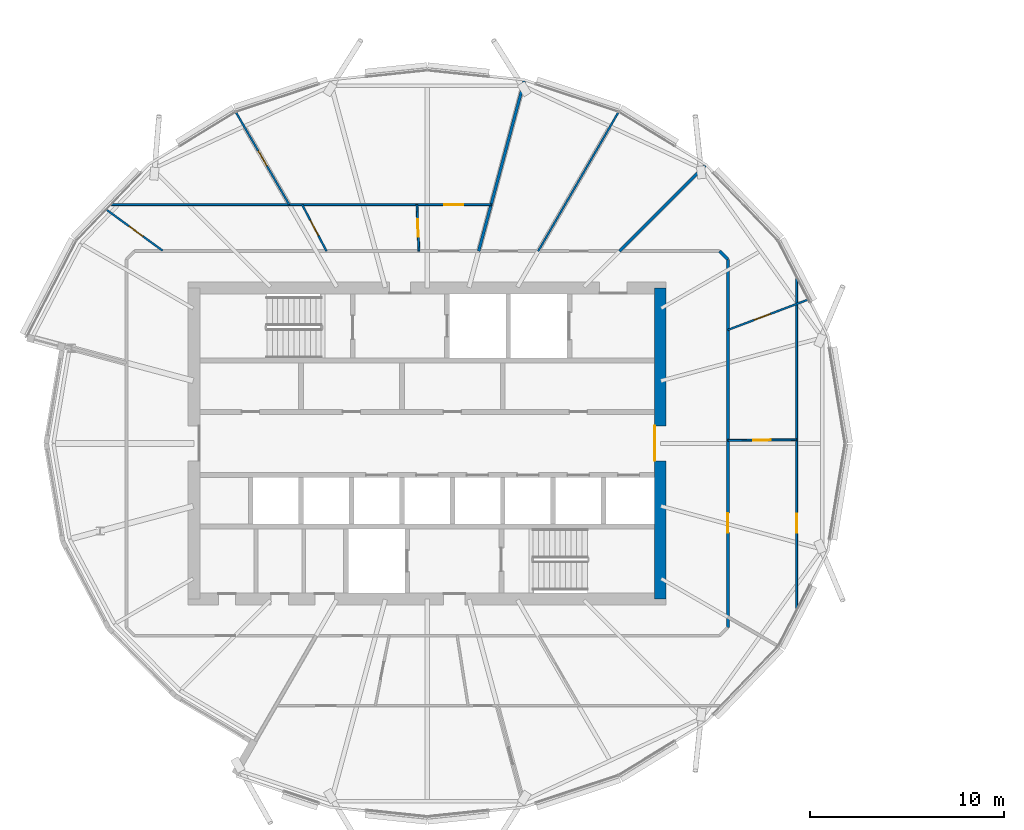
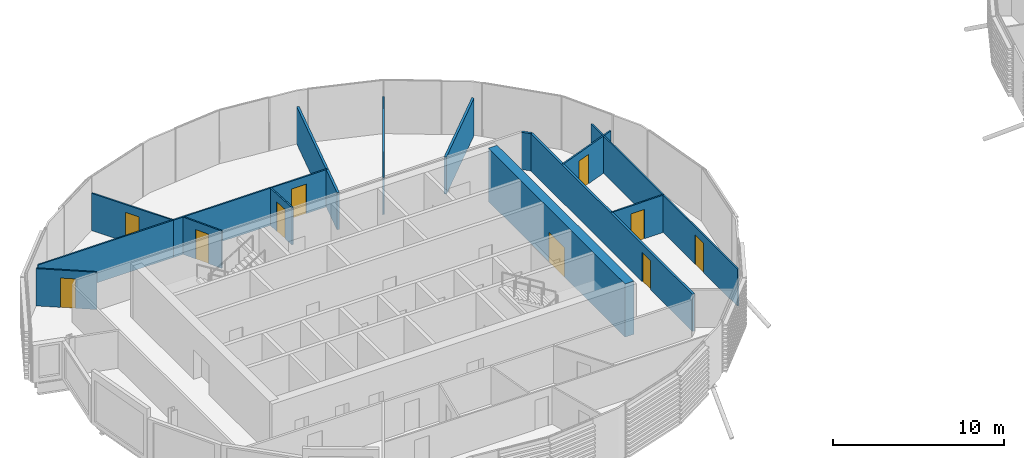
# One storey, part 20 of 36: 15 walls, 10 doors, 10 openings.
"""IFC4 building model written with IfcOpenShell, lengths in metres."""

import ifcopenshell
import ifcopenshell.guid

model = None  # the IFC model being written
_history = None  # IfcOwnerHistory: only IFC2X3 demands one
_inside = {}  # id of a spatial element -> (the spatial element, [elements in it])
_under = {}  # id of a project, library or spatial element -> (it, [spatial elements below it])
_declared = {}  # id of a project -> (the project, [libraries it declares])
_typed = {}  # id of a type object -> (the type object, [elements of that type])
_made_of = {}  # id of a material, layer set ... -> (it, [elements and type objects made of it])


def new_model(schema):
    """Start an empty IFC model of exactly this schema.

    Asked for "IFC4X3", IfcOpenShell would pick the latest addendum, in which some entities
    have other attributes; the version numbers below select the first issue.
    IFC2X3 requires an IfcOwnerHistory on every rooted entity: one is made here for all.
    """
    global model, _history
    if schema == "IFC4X3":
        model = ifcopenshell.file(schema_version=(4, 3, 0, 0))
    else:
        model = ifcopenshell.file(schema=schema)
    _inside.clear()
    _under.clear()
    _declared.clear()
    _typed.clear()
    _made_of.clear()
    _history = None
    if model.schema == "IFC2X3":
        org = make("IfcOrganization", Name="unknown")
        user = make(
            "IfcPersonAndOrganization",
            ThePerson=make("IfcPerson", FamilyName="unknown"),
            TheOrganization=org,
        )
        app = make(
            "IfcApplication",
            ApplicationDeveloper=org,
            Version="unknown",
            ApplicationFullName="unknown",
            ApplicationIdentifier="unknown",
        )
        _history = make(
            "IfcOwnerHistory",
            OwningUser=user,
            OwningApplication=app,
            ChangeAction="ADDED",
            CreationDate=0,
        )
    return model


def make(cls, **values):
    """One entity of the class cls with the attributes given. An attribute that is None is left unset."""
    return model.create_entity(
        cls, **{name: value for name, value in values.items() if value is not None}
    )


def rooted(cls, **values):
    """An entity with a GlobalId (a new one), such as an element, a storey or a relation."""
    return make(cls, GlobalId=ifcopenshell.guid.new(), OwnerHistory=_history, **values)


def si_unit(unit_type, name, prefix=None):
    """IfcSIUnit, for example si_unit("LENGTHUNIT", "METRE", prefix="MILLI")."""
    return make("IfcSIUnit", UnitType=unit_type, Prefix=prefix, Name=name)


def assignment(units):
    """IfcUnitAssignment: the units of a project."""
    return None if units is None else make("IfcUnitAssignment", Units=units)


def point(xyz):
    """IfcCartesianPoint."""
    return None if xyz is None else make("IfcCartesianPoint", Coordinates=xyz)


def direction(xyz):
    """IfcDirection."""
    return None if xyz is None else make("IfcDirection", DirectionRatios=xyz)


def frame(location, z_axis=None, x_axis=None):
    """IfcAxis2Placement3D, a coordinate frame: its origin and axes. An axis left out is left unset."""
    return make(
        "IfcAxis2Placement3D",
        Location=point(location),
        Axis=direction(z_axis),
        RefDirection=direction(x_axis),
    )


def frame_2d(location, x_axis=None):
    """IfcAxis2Placement2D, a coordinate frame in the plane: its origin and x axis."""
    return make(
        "IfcAxis2Placement2D", Location=point(location), RefDirection=direction(x_axis)
    )


def origin():
    """The frame at (0, 0, 0) with its axes left unset."""
    return frame((0.0, 0.0, 0.0))


def place(relative_to, where):
    """IfcLocalPlacement: puts the frame where relative to a parent placement (None: the world)."""
    return make(
        "IfcLocalPlacement", PlacementRelTo=relative_to, RelativePlacement=where
    )


def context(
    kind, dimensions, precision=None, world=None, true_north=None, identifier=None
):
    """IfcGeometricRepresentationContext, for example the 3D "Model" context."""
    return make(
        "IfcGeometricRepresentationContext",
        ContextIdentifier=identifier,
        ContextType=kind,
        CoordinateSpaceDimension=dimensions,
        Precision=precision,
        WorldCoordinateSystem=world,
        TrueNorth=true_north,
    )


def subcontext(parent, identifier, kind, view, scale=None):
    """IfcGeometricRepresentationSubContext, for example "Body" below "Model"."""
    return make(
        "IfcGeometricRepresentationSubContext",
        ContextIdentifier=identifier,
        ContextType=kind,
        ParentContext=parent,
        TargetScale=scale,
        TargetView=view,
    )


def project(units=None, contexts=None):
    """IfcProject with its units and contexts."""
    return rooted(
        "IfcProject",
        Name="project",
        RepresentationContexts=contexts,
        UnitsInContext=assignment(units),
    )


def spatial(cls, under=None, at=None, **own):
    """A site, building, storey or space (cls), placed at a placement, below another one or the project."""
    s = rooted(cls, ObjectPlacement=at, **own)
    if under is not None:
        _under.setdefault(under.id(), (under, []))[1].append(s)
    return s


def profile(cls, at=None, kind="AREA", **sizes):
    """A parametric profile (cls). Its sizes go by their IFC names, for example OverallWidth=200.0."""
    return make(cls, ProfileType=kind, Position=at, **sizes)


def rectangle(**sizes):
    """IfcRectangleProfileDef."""
    return profile("IfcRectangleProfileDef", **sizes)


def extrude(swept, where, along, depth):
    """IfcExtrudedAreaSolid: the profile swept, set in the frame where, extruded along a direction by depth."""
    return make(
        "IfcExtrudedAreaSolid",
        SweptArea=swept,
        Position=where,
        ExtrudedDirection=direction(along),
        Depth=depth,
    )


def shape(context_of_items, identifier, shape_type, items):
    """IfcShapeRepresentation: the items that make up one representation, for example the "Body"."""
    return make(
        "IfcShapeRepresentation",
        ContextOfItems=context_of_items,
        RepresentationIdentifier=identifier,
        RepresentationType=shape_type,
        Items=items,
    )


def material(Name=None, Category=None):
    """IfcMaterial."""
    return make("IfcMaterial", Name=Name, Category=Category)


def layer(
    of_material, thickness, ventilated=None, Name=None, Category=None, Priority=None
):
    """IfcMaterialLayer: one layer of a wall or slab, of a material (None: an air gap)."""
    return make(
        "IfcMaterialLayer",
        Material=of_material,
        LayerThickness=thickness,
        IsVentilated=ventilated,
        Name=Name,
        Category=Category,
        Priority=Priority,
    )


def layer_set(layers, Name=None):
    """IfcMaterialLayerSet."""
    return make("IfcMaterialLayerSet", MaterialLayers=layers, LayerSetName=Name)


def made_of(thing, what):
    """Note that an element or type object is made of a material, layer set ...; save() writes the relation."""
    if what is not None:
        _made_of.setdefault(what.id(), (what, []))[1].append(thing)
    return thing


def type_object(cls, material=None, **own):
    """A type object (cls), such as IfcWallType, which elements share."""
    return made_of(rooted(cls, **own), material)


def element(
    cls,
    number,
    at=None,
    inside=None,
    cuts=None,
    type_object=None,
    material=None,
    context=None,
    identifier="Body",
    shape_type=None,
    held_by="IfcProductDefinitionShape",
    body=None,
    shapes=None,
    **own,
):
    """One element of the class cls, such as IfcWall. Its Tag is "e" and its number.

    at: its placement. inside: the storey or other place that contains it. cuts: it is an
    opening in that element (IfcRelVoidsElement). A single representation is given by context,
    identifier, shape_type and body (its items); several are given by shapes. held_by: the class
    of the entity that holds the representations. save() writes the other relations.
    """
    e = rooted(cls, Tag="e%d" % number, ObjectPlacement=at, **own)
    if body is not None:
        shapes = [shape(context, identifier, shape_type, body)]
    if shapes is not None:
        e.Representation = make(held_by, Representations=shapes)
    if inside is not None:
        _inside.setdefault(inside.id(), (inside, []))[1].append(e)
    if cuts is not None:
        rooted(
            "IfcRelVoidsElement", RelatingBuildingElement=cuts, RelatedOpeningElement=e
        )
    if type_object is not None:
        _typed.setdefault(type_object.id(), (type_object, []))[1].append(e)
    return made_of(e, material)


def fill(opening, filler):
    """IfcRelFillsElement: the door or window that sits in an opening."""
    return rooted(
        "IfcRelFillsElement",
        RelatingOpeningElement=opening,
        RelatedBuildingElement=filler,
    )


def aggregate(whole, parts):
    """IfcRelAggregates: a whole, such as a stair, and the parts it consists of."""
    return rooted("IfcRelAggregates", RelatingObject=whole, RelatedObjects=parts)


def save(model, path):
    """Write the relations noted so far, then the file.

    IfcRelAggregates (storeys below a building ...), IfcRelContainedInSpatialStructure (elements
    in a storey), IfcRelDefinesByType, IfcRelAssociatesMaterial and IfcRelDeclares: one each for
    every whole, place, type object, material and project.
    """
    for whole, parts in _under.values():
        aggregate(whole, parts)
    for where, things in _inside.values():
        rooted(
            "IfcRelContainedInSpatialStructure",
            RelatedElements=things,
            RelatingStructure=where,
        )
    for kind, things in _typed.values():
        rooted("IfcRelDefinesByType", RelatedObjects=things, RelatingType=kind)
    for what, things in _made_of.values():
        rooted("IfcRelAssociatesMaterial", RelatedObjects=things, RelatingMaterial=what)
    for by, libraries in _declared.values():
        rooted("IfcRelDeclares", RelatingContext=by, RelatedDefinitions=libraries)
    model.write(path)


model = new_model("IFC4")

# Units and contexts
model_context = context("Model", 3, precision=1e-05, world=origin(), true_north=direction((0.0, 1.0)))
body_context = subcontext(model_context, "Body", "Model", "MODEL_VIEW")
ifc_project = project(units=[si_unit("LENGTHUNIT", "METRE"), si_unit("AREAUNIT", "SQUARE_METRE"), si_unit("VOLUMEUNIT", "CUBIC_METRE"), si_unit("PLANEANGLEUNIT", "RADIAN"), si_unit("MASSUNIT", "GRAM", prefix="KILO")], contexts=[model_context])

# Site, building, storey
site_placement = place(None, origin())
site = spatial("IfcSite", under=ifc_project, at=site_placement, CompositionType="ELEMENT")
building_placement = place(site_placement, origin())
building = spatial("IfcBuilding", under=site, at=building_placement, Name="Rimbun Link Towers", CompositionType="ELEMENT")
storey_placement = place(building_placement, frame((0.0, 0.0, 200.699951171875)))
storey = spatial("IfcBuildingStorey", under=building, at=storey_placement, Name="L49", CompositionType="ELEMENT", Elevation=200.699951171875)

# Wall, opening, door
ifc_material_1 = material(Name="Concrete C60/75", Category="concrete")
ifc_layer_1 = layer(ifc_material_1, 0.60009765625)
ifc_layer_set_1 = layer_set([ifc_layer_1], Name="Core shear wall 600")
wall_type_1 = type_object("IfcWallType", Name="Core shear wall 600", PredefinedType="SHEAR", material=ifc_layer_set_1)
wall_1_placement = place(storey_placement, frame((-19.75, -8.0, 0.0), z_axis=(0.0, 0.0, 1.0), x_axis=(0.0, 1.0, 0.0)))
wall_1 = element("IfcWall", 1, at=wall_1_placement, inside=storey, type_object=wall_type_1, Name="L49 T1 core wall E", PredefinedType="SHEAR", context=body_context, shape_type="SweptSolid", body=[
    extrude(rectangle(XDim=16.0, YDim=0.60009765625, at=frame_2d((8.0, 0.0))), origin(), (0.0, 0.0, 1.0), 3.800048828125),
])
opening_1_placement = place(wall_1_placement, frame((7.10009765625, 0.0, 0.0)))
opening_1 = element("IfcOpeningElement", 2, at=opening_1_placement, cuts=wall_1, Name="Opening C1DCL01E", PredefinedType="OPENING", context=body_context, shape_type="SweptSolid", body=[
    extrude(rectangle(XDim=1.800048828125, YDim=2.10009765625, at=frame_2d((0.89990234375, 1.050048828125))), frame((0.0, 0.31005859375, 0.0), z_axis=(0.0, -1.0, 0.0), x_axis=(1.0, 0.0, 0.0)), (0.0, 0.0, 1.0), 0.6201171875),
])
ifc_material_2 = material(Name="Steel fire door set", Category="steel")
door_type_1 = type_object("IfcDoorType", Name="Core lobby door double", OperationType="DOUBLE_DOOR_SINGLE_SWING", PredefinedType="DOOR", material=ifc_material_2)
door_1_placement = place(opening_1_placement, origin())
door_1 = element("IfcDoor", 3, at=door_1_placement, inside=storey, type_object=door_type_1, Name="L49 T1 lift lobby door", OperationType="DOUBLE_DOOR_SINGLE_SWING", OverallHeight=2.10009765625, OverallWidth=1.800048828125, PredefinedType="DOOR", context=body_context, shape_type="SweptSolid", body=[
    extrude(rectangle(XDim=1.800048828125, YDim=2.10009765625, at=frame_2d((0.89990234375, 1.050048828125))), frame((0.0, 0.2998046875, 0.0), z_axis=(0.0, -1.0, 0.0), x_axis=(1.0, 0.0, 0.0)), (0.0, 0.0, 1.0), 0.050048828125),
])
fill(opening_1, door_1)

# Wall
ifc_material_3 = material(Name="Plasterboard on steel stud, mineral wool", Category="steel")
ifc_layer_2 = layer(ifc_material_3, 0.14990234375)
ifc_layer_set_2 = layer_set([ifc_layer_2], Name="Corridor wall EI 30 150 mm")
wall_type_2 = type_object("IfcWallType", Name="Corridor wall EI 30 150 mm", PredefinedType="PARTITIONING", material=ifc_layer_set_2)
wall_2_placement = place(storey_placement, frame((-16.27490234375, 9.4736328125, 0.0), z_axis=(0.0, 0.0, 1.0), x_axis=(-0.707106781187, 0.707106781187, 0.0)))
element("IfcWall", 4, at=wall_2_placement, inside=storey, type_object=wall_type_2, Name="Corridor wall EI 30 150 mm", PredefinedType="PARTITIONING", context=body_context, shape_type="SweptSolid", body=[
    extrude(rectangle(XDim=0.595947265625, YDim=0.14990234375, at=frame_2d((0.2978515625, 0.0))), origin(), (0.0, 0.0, 1.0), 2.662109375),
])

# Wall, opening, door
wall_3_placement = place(storey_placement, frame((-16.27490234375, 9.4736328125, 0.0), z_axis=(0.0, 0.0, 1.0), x_axis=(0.0, -1.0, 0.0)))
wall_3 = element("IfcWall", 5, at=wall_3_placement, inside=storey, type_object=wall_type_2, Name="Corridor wall EI 30 150 mm", PredefinedType="PARTITIONING", context=body_context, shape_type="SweptSolid", body=[
    extrude(rectangle(XDim=18.947265625, YDim=0.14990234375, at=frame_2d((9.4736328125, 0.0))), origin(), (0.0, 0.0, 1.0), 2.662109375),
])
opening_2_placement = place(wall_3_placement, frame((13.06005859375, 0.0, 0.0)))
opening_2 = element("IfcOpeningElement", 6, at=opening_2_placement, cuts=wall_3, Name="Opening D01", PredefinedType="OPENING", context=body_context, shape_type="SweptSolid", body=[
    extrude(rectangle(XDim=1.0, YDim=2.10009765625, at=frame_2d((0.5, 1.050048828125))), frame((0.0, 0.0849609375, 0.0), z_axis=(0.0, -1.0, 0.0), x_axis=(1.0, 0.0, 0.0)), (0.0, 0.0, 1.0), 0.169921875),
])
ifc_material_4 = material(Name="Fire-resisting timber door leaf", Category="wood")
door_type_2 = type_object("IfcDoorType", Name="Fire door FD30S 1000", OperationType="NOTDEFINED", PredefinedType="DOOR", material=ifc_material_4)
door_2_placement = place(opening_2_placement, origin())
door_2 = element("IfcDoor", 7, at=door_2_placement, inside=storey, type_object=door_type_2, Name="Fire door FD30S 1000 to Tenant lobby", OperationType="SINGLE_SWING_RIGHT", OverallHeight=2.10009765625, OverallWidth=1.0, PredefinedType="DOOR", context=body_context, shape_type="SweptSolid", body=[
    extrude(rectangle(XDim=1.0, YDim=2.10009765625, at=frame_2d((0.5, 1.050048828125))), frame((0.0, 0.02490234375, 0.0), z_axis=(0.0, -1.0, 0.0), x_axis=(1.0, 0.0, 0.0)), (0.0, 0.0, 1.0), 0.050048828125),
])
fill(opening_2, door_2)

ifc_material_5 = material(Name="Plasterboard on steel stud", Category="steel")
ifc_layer_3 = layer(ifc_material_5, 0.10009765625)
ifc_layer_set_3 = layer_set([ifc_layer_3], Name="Plasterboard partition 100 mm")
wall_type_3 = type_object("IfcWallType", Name="Plasterboard partition 100 mm", PredefinedType="PARTITIONING", material=ifc_layer_set_3)
wall_4_placement = place(storey_placement, frame((-16.27490234375, 0.157470703125, 0.0), z_axis=(0.0, 0.0, 1.0), x_axis=(0.99994860805, 0.010138109206, 0.0)))
wall_4 = element("IfcWall", 8, at=wall_4_placement, inside=storey, type_object=wall_type_3, Name="Plasterboard partition 100 mm", PredefinedType="PARTITIONING", context=body_context, shape_type="SweptSolid", body=[
    extrude(rectangle(XDim=3.5400390625, YDim=0.10009765625, at=frame_2d((1.77001953125, 0.0))), origin(), (0.0, 0.0, 1.0), 2.662109375),
])
opening_3_placement = place(wall_4_placement, frame((1.320068359375, 0.0, 0.0)))
opening_3 = element("IfcOpeningElement", 9, at=opening_3_placement, cuts=wall_4, Name="Opening D04", PredefinedType="OPENING", context=body_context, shape_type="SweptSolid", body=[
    extrude(rectangle(XDim=0.89990234375, YDim=2.10009765625, at=frame_2d((0.449951171875, 1.050048828125))), frame((0.0, 0.06005859375, 0.0), z_axis=(0.0, -1.0, 0.0), x_axis=(1.0, 0.0, 0.0)), (0.0, 0.0, 1.0), 0.1201171875),
])
ifc_material_6 = material(Name="Timber door leaf", Category="wood")
door_type_3 = type_object("IfcDoorType", Name="Flush door 900", OperationType="NOTDEFINED", PredefinedType="DOOR", material=ifc_material_6)
door_3_placement = place(opening_3_placement, origin())
door_3 = element("IfcDoor", 10, at=door_3_placement, inside=storey, type_object=door_type_3, Name="Flush door 900 to Data room", OperationType="SINGLE_SWING_RIGHT", OverallHeight=2.10009765625, OverallWidth=0.89990234375, PredefinedType="DOOR", context=body_context, shape_type="SweptSolid", body=[
    extrude(rectangle(XDim=0.89990234375, YDim=2.10009765625, at=frame_2d((0.449951171875, 1.050048828125))), frame((0.0, 0.02490234375, 0.0), z_axis=(0.0, -1.0, 0.0), x_axis=(1.0, 0.0, 0.0)), (0.0, 0.0, 1.0), 0.050048828125),
])
fill(opening_3, door_3)

wall_5_placement = place(storey_placement, frame((-12.735107421875, 8.547119140625, 0.0), z_axis=(0.0, 0.0, 1.0), x_axis=(0.0, -1.0, 0.0)))
wall_5 = element("IfcWall", 11, at=wall_5_placement, inside=storey, type_object=wall_type_3, Name="Plasterboard partition 100 mm", PredefinedType="PARTITIONING", context=body_context, shape_type="SweptSolid", body=[
    extrude(rectangle(XDim=17.09423828125, YDim=0.10009765625, at=frame_2d((8.547119140625, 0.0))), origin(), (0.0, 0.0, 1.0), 2.662109375),
])
opening_4_placement = place(wall_5_placement, frame((12.152099609375, 0.0, 0.0)))
opening_4 = element("IfcOpeningElement", 12, at=opening_4_placement, cuts=wall_5, Name="Opening D03", PredefinedType="OPENING", context=body_context, shape_type="SweptSolid", body=[
    extrude(rectangle(XDim=1.0, YDim=2.10009765625, at=frame_2d((0.5, 1.050048828125))), frame((0.0, 0.06005859375, 0.0), z_axis=(0.0, -1.0, 0.0), x_axis=(1.0, 0.0, 0.0)), (0.0, 0.0, 1.0), 0.1201171875),
])
ifc_material_7 = material(Name="Timber door leaf", Category="wood")
door_type_4 = type_object("IfcDoorType", Name="Flush door 1000", OperationType="NOTDEFINED", PredefinedType="DOOR", material=ifc_material_7)
door_4_placement = place(opening_4_placement, origin())
door_4 = element("IfcDoor", 13, at=door_4_placement, inside=storey, type_object=door_type_4, Name="Flush door 1000 to Trading floor", OperationType="SINGLE_SWING_LEFT", OverallHeight=2.10009765625, OverallWidth=1.0, PredefinedType="DOOR", context=body_context, shape_type="SweptSolid", body=[
    extrude(rectangle(XDim=1.0, YDim=2.10009765625, at=frame_2d((0.5, 1.050048828125))), frame((0.0, 0.02490234375, 0.0), z_axis=(0.0, -1.0, 0.0), x_axis=(1.0, 0.0, 0.0)), (0.0, 0.0, 1.0), 0.050048828125),
])
fill(opening_4, door_4)

wall_6_placement = place(storey_placement, frame((-16.27490234375, 5.843017578125, 0.0), z_axis=(0.0, 0.0, 1.0), x_axis=(0.935530858605, 0.353244975334, 0.0)))
wall_6 = element("IfcWall", 14, at=wall_6_placement, inside=storey, type_object=wall_type_3, Name="Plasterboard partition 100 mm", PredefinedType="PARTITIONING", context=body_context, shape_type="SweptSolid", body=[
    extrude(rectangle(XDim=4.424560546875, YDim=0.10009765625, at=frame_2d((2.21240234375, 0.0))), origin(), (0.0, 0.0, 1.0), 2.662109375),
])
opening_5_placement = place(wall_6_placement, frame((1.44189453125, 0.0, 0.0)))
opening_5 = element("IfcOpeningElement", 15, at=opening_5_placement, cuts=wall_6, Name="Opening D04", PredefinedType="OPENING", context=body_context, shape_type="SweptSolid", body=[
    extrude(rectangle(XDim=0.89990234375, YDim=2.10009765625, at=frame_2d((0.449951171875, 1.050048828125))), frame((0.0, 0.06005859375, 0.0), z_axis=(0.0, -1.0, 0.0), x_axis=(1.0, 0.0, 0.0)), (0.0, 0.0, 1.0), 0.1201171875),
])
door_5_placement = place(opening_5_placement, origin())
door_5 = element("IfcDoor", 16, at=door_5_placement, inside=storey, type_object=door_type_3, Name="Flush door 900 to Communications room", OperationType="SINGLE_SWING_LEFT", OverallHeight=2.10009765625, OverallWidth=0.89990234375, PredefinedType="DOOR", context=body_context, shape_type="SweptSolid", body=[
    extrude(rectangle(XDim=0.89990234375, YDim=2.10009765625, at=frame_2d((0.449951171875, 1.050048828125))), frame((0.0, 0.02490234375, 0.0), z_axis=(0.0, -1.0, 0.0), x_axis=(1.0, 0.0, 0.0)), (0.0, 0.0, 1.0), 0.050048828125),
])
fill(opening_5, door_5)

# Wall
wall_7_placement = place(storey_placement, frame((-21.906494140625, 17.0498046875, 0.0), z_axis=(0.0, 0.0, 1.0), x_axis=(-0.499981670823, -0.866035985881, 0.0)))
element("IfcWall", 17, at=wall_7_placement, inside=storey, type_object=wall_type_3, Name="Plasterboard partition 100 mm", PredefinedType="PARTITIONING", context=body_context, shape_type="SweptSolid", body=[
    extrude(rectangle(XDim=8.261474609375, YDim=0.10009765625, at=frame_2d((4.130859375, 0.0))), origin(), (0.0, 0.0, 1.0), 2.662109375),
])

# Wall, opening, door
wall_8_placement = place(storey_placement, frame((-32.17236328125, 9.89501953125, 0.0), z_axis=(0.0, 0.0, 1.0), x_axis=(-0.042687401884, 0.999088477424, 0.0)))
wall_8 = element("IfcWall", 18, at=wall_8_placement, inside=storey, type_object=wall_type_3, Name="Plasterboard partition 100 mm", PredefinedType="PARTITIONING", context=body_context, shape_type="SweptSolid", body=[
    extrude(rectangle(XDim=2.402099609375, YDim=0.10009765625, at=frame_2d((1.201171875, 0.0))), origin(), (0.0, 0.0, 1.0), 2.662109375),
])
opening_6_placement = place(wall_8_placement, frame((0.751220703125, 0.0, 0.0)))
opening_6 = element("IfcOpeningElement", 19, at=opening_6_placement, cuts=wall_8, Name="Opening D04", PredefinedType="OPENING", context=body_context, shape_type="SweptSolid", body=[
    extrude(rectangle(XDim=0.89990234375, YDim=2.10009765625, at=frame_2d((0.449951171875, 1.050048828125))), frame((0.0, 0.06005859375, 0.0), z_axis=(0.0, -1.0, 0.0), x_axis=(1.0, 0.0, 0.0)), (0.0, 0.0, 1.0), 0.1201171875),
])
door_6_placement = place(opening_6_placement, origin())
door_6 = element("IfcDoor", 20, at=door_6_placement, inside=storey, type_object=door_type_3, Name="Flush door 900 to Huddle room", OperationType="SINGLE_SWING_RIGHT", OverallHeight=2.10009765625, OverallWidth=0.89990234375, PredefinedType="DOOR", context=body_context, shape_type="SweptSolid", body=[
    extrude(rectangle(XDim=0.89990234375, YDim=2.10009765625, at=frame_2d((0.449951171875, 1.050048828125))), frame((0.0, 0.02490234375, 0.0), z_axis=(0.0, -1.0, 0.0), x_axis=(1.0, 0.0, 0.0)), (0.0, 0.0, 1.0), 0.050048828125),
])
fill(opening_6, door_6)

wall_9_placement = place(storey_placement, frame((-38.848388671875, 12.294921875, 0.0), z_axis=(0.0, 0.0, 1.0), x_axis=(1.0, 0.0, 0.0)))
wall_9 = element("IfcWall", 21, at=wall_9_placement, inside=storey, type_object=wall_type_3, Name="Plasterboard partition 100 mm", PredefinedType="PARTITIONING", context=body_context, shape_type="SweptSolid", body=[
    extrude(rectangle(XDim=10.392822265625, YDim=0.10009765625, at=frame_2d((5.1962890625, 0.0))), origin(), (0.0, 0.0, 1.0), 2.662109375),
])
opening_7_placement = place(wall_9_placement, frame((7.96826171875, 0.0, 0.0)))
opening_7 = element("IfcOpeningElement", 22, at=opening_7_placement, cuts=wall_9, Name="Opening D03", PredefinedType="OPENING", context=body_context, shape_type="SweptSolid", body=[
    extrude(rectangle(XDim=1.0, YDim=2.10009765625, at=frame_2d((0.5, 1.050048828125))), frame((0.0, 0.06005859375, 0.0), z_axis=(0.0, -1.0, 0.0), x_axis=(1.0, 0.0, 0.0)), (0.0, 0.0, 1.0), 0.1201171875),
])
door_7_placement = place(opening_7_placement, origin())
door_7 = element("IfcDoor", 23, at=door_7_placement, inside=storey, type_object=door_type_4, Name="Flush door 1000 to Open office", OperationType="SINGLE_SWING_RIGHT", OverallHeight=2.10009765625, OverallWidth=1.0, PredefinedType="DOOR", context=body_context, shape_type="SweptSolid", body=[
    extrude(rectangle(XDim=1.0, YDim=2.10009765625, at=frame_2d((0.5, 1.050048828125))), frame((0.0, 0.02490234375, 0.0), z_axis=(0.0, -1.0, 0.0), x_axis=(1.0, 0.0, 0.0)), (0.0, 0.0, 1.0), 0.050048828125),
])
fill(opening_7, door_7)

wall_10_placement = place(storey_placement, frame((-36.927734375, 9.89501953125, 0.0), z_axis=(0.0, 0.0, 1.0), x_axis=(-0.463649948862, 0.886018467596, 0.0)))
wall_10 = element("IfcWall", 24, at=wall_10_placement, inside=storey, type_object=wall_type_3, Name="Plasterboard partition 100 mm", PredefinedType="PARTITIONING", context=body_context, shape_type="SweptSolid", body=[
    extrude(rectangle(XDim=2.708740234375, YDim=0.10009765625, at=frame_2d((1.3544921875, 0.0))), origin(), (0.0, 0.0, 1.0), 2.662109375),
])
opening_8_placement = place(wall_10_placement, frame((0.904296875, 0.0, 0.0)))
opening_8 = element("IfcOpeningElement", 25, at=opening_8_placement, cuts=wall_10, Name="Opening D04", PredefinedType="OPENING", context=body_context, shape_type="SweptSolid", body=[
    extrude(rectangle(XDim=0.89990234375, YDim=2.10009765625, at=frame_2d((0.449951171875, 1.050048828125))), frame((0.0, 0.06005859375, 0.0), z_axis=(0.0, -1.0, 0.0), x_axis=(1.0, 0.0, 0.0)), (0.0, 0.0, 1.0), 0.1201171875),
])
door_8_placement = place(opening_8_placement, origin())
door_8 = element("IfcDoor", 26, at=door_8_placement, inside=storey, type_object=door_type_3, Name="Flush door 900 to Huddle room", OperationType="SINGLE_SWING_LEFT", OverallHeight=2.10009765625, OverallWidth=0.89990234375, PredefinedType="DOOR", context=body_context, shape_type="SweptSolid", body=[
    extrude(rectangle(XDim=0.89990234375, YDim=2.10009765625, at=frame_2d((0.449951171875, 1.050048828125))), frame((0.0, 0.02490234375, 0.0), z_axis=(0.0, -1.0, 0.0), x_axis=(1.0, 0.0, 0.0)), (0.0, 0.0, 1.0), 0.050048828125),
])
fill(opening_8, door_8)

wall_11_placement = place(storey_placement, frame((-45.3662109375, 9.925048828125, 0.0), z_axis=(0.0, 0.0, 1.0), x_axis=(-0.808116399695, 0.589022821751, 0.0)))
wall_11 = element("IfcWall", 27, at=wall_11_placement, inside=storey, type_object=wall_type_3, Name="Plasterboard partition 100 mm", PredefinedType="PARTITIONING", context=body_context, shape_type="SweptSolid", body=[
    extrude(rectangle(XDim=3.580322265625, YDim=0.10009765625, at=frame_2d((1.7900390625, 0.0))), origin(), (0.0, 0.0, 1.0), 2.662109375),
])
opening_9_placement = place(wall_11_placement, frame((1.242919921875, 0.0, 0.0)))
opening_9 = element("IfcOpeningElement", 28, at=opening_9_placement, cuts=wall_11, Name="Opening D04", PredefinedType="OPENING", context=body_context, shape_type="SweptSolid", body=[
    extrude(rectangle(XDim=0.89990234375, YDim=2.10009765625, at=frame_2d((0.449951171875, 1.050048828125))), frame((0.0, 0.06005859375, 0.0), z_axis=(0.0, -1.0, 0.0), x_axis=(1.0, 0.0, 0.0)), (0.0, 0.0, 1.0), 0.1201171875),
])
door_9_placement = place(opening_9_placement, origin())
door_9 = element("IfcDoor", 29, at=door_9_placement, inside=storey, type_object=door_type_3, Name="Flush door 900 to Pantry", OperationType="SINGLE_SWING_RIGHT", OverallHeight=2.10009765625, OverallWidth=0.89990234375, PredefinedType="DOOR", context=body_context, shape_type="SweptSolid", body=[
    extrude(rectangle(XDim=0.89990234375, YDim=2.10009765625, at=frame_2d((0.449951171875, 1.050048828125))), frame((0.0, 0.02490234375, 0.0), z_axis=(0.0, -1.0, 0.0), x_axis=(1.0, 0.0, 0.0)), (0.0, 0.0, 1.0), 0.050048828125),
])
fill(opening_9, door_9)

# Wall
wall_12_placement = place(storey_placement, frame((-38.848388671875, 12.294921875, 0.0), z_axis=(0.0, 0.0, 1.0), x_axis=(-1.0, 0.0, 0.0)))
element("IfcWall", 30, at=wall_12_placement, inside=storey, type_object=wall_type_3, Name="Plasterboard partition 100 mm", PredefinedType="PARTITIONING", context=body_context, shape_type="SweptSolid", body=[
    extrude(rectangle(XDim=9.1552734375, YDim=0.10009765625, at=frame_2d((4.57763671875, 0.0))), origin(), (0.0, 0.0, 1.0), 2.662109375),
])

# Wall, opening, door
wall_13_placement = place(storey_placement, frame((-38.848388671875, 12.294921875, 0.0), z_axis=(0.0, 0.0, 1.0), x_axis=(-0.49998419723, 0.866034527326, 0.0)))
wall_13 = element("IfcWall", 31, at=wall_13_placement, inside=storey, type_object=wall_type_3, Name="Plasterboard partition 100 mm", PredefinedType="PARTITIONING", context=body_context, shape_type="SweptSolid", body=[
    extrude(rectangle(XDim=5.490478515625, YDim=0.10009765625, at=frame_2d((2.7451171875, 0.0))), origin(), (0.0, 0.0, 1.0), 2.662109375),
])
opening_10_placement = place(wall_13_placement, frame((2.295166015625, 0.0, 0.0)))
opening_10 = element("IfcOpeningElement", 32, at=opening_10_placement, cuts=wall_13, Name="Opening D04", PredefinedType="OPENING", context=body_context, shape_type="SweptSolid", body=[
    extrude(rectangle(XDim=0.89990234375, YDim=2.10009765625, at=frame_2d((0.449951171875, 1.050048828125))), frame((0.0, 0.06005859375, 0.0), z_axis=(0.0, -1.0, 0.0), x_axis=(1.0, 0.0, 0.0)), (0.0, 0.0, 1.0), 0.1201171875),
])
door_10_placement = place(opening_10_placement, origin())
door_10 = element("IfcDoor", 33, at=door_10_placement, inside=storey, type_object=door_type_3, Name="Flush door 900 to Project room", OperationType="SINGLE_SWING_RIGHT", OverallHeight=2.10009765625, OverallWidth=0.89990234375, PredefinedType="DOOR", context=body_context, shape_type="SweptSolid", body=[
    extrude(rectangle(XDim=0.89990234375, YDim=2.10009765625, at=frame_2d((0.449951171875, 1.050048828125))), frame((0.0, 0.02490234375, 0.0), z_axis=(0.0, -1.0, 0.0), x_axis=(1.0, 0.0, 0.0)), (0.0, 0.0, 1.0), 0.050048828125),
])
fill(opening_10, door_10)

# Walls
ifc_material_8 = material(Name="Plasterboard on steel stud, mineral wool", Category="steel")
ifc_layer_4 = layer(ifc_material_8, 0.14990234375)
ifc_layer_set_4 = layer_set([ifc_layer_4], Name="Tenancy separation wall EI 60 150 mm")
wall_type_4 = type_object("IfcWallType", Name="Tenancy separation wall EI 60 150 mm", PredefinedType="PARTITIONING", material=ifc_layer_set_4)
wall_14_placement = place(storey_placement, frame((-21.85498046875, 9.89501953125, 0.0), z_axis=(0.0, 0.0, 1.0), x_axis=(0.707106781187, 0.707106781187, 0.0)))
element("IfcWall", 34, at=wall_14_placement, inside=storey, type_object=wall_type_4, Name="Tenancy separation wall EI 60 150 mm", PredefinedType="PARTITIONING", context=body_context, shape_type="SweptSolid", body=[
    extrude(rectangle(XDim=6.241455078125, YDim=0.14990234375, at=frame_2d((3.12060546875, 0.0))), origin(), (0.0, 0.0, 1.0), 2.662109375),
])
wall_15_placement = place(storey_placement, frame((-29.0986328125, 9.89501953125, 0.0), z_axis=(0.0, 0.0, 1.0), x_axis=(0.25883027395, 0.965922817459, 0.0)))
element("IfcWall", 35, at=wall_15_placement, inside=storey, type_object=wall_type_4, Name="Tenancy separation wall EI 60 150 mm", PredefinedType="PARTITIONING", context=body_context, shape_type="SweptSolid", body=[
    extrude(rectangle(XDim=9.0693359375, YDim=0.14990234375, at=frame_2d((4.53466796875, 0.0))), origin(), (0.0, 0.0, 1.0), 2.662109375),
])

save(model, "model.ifc")
